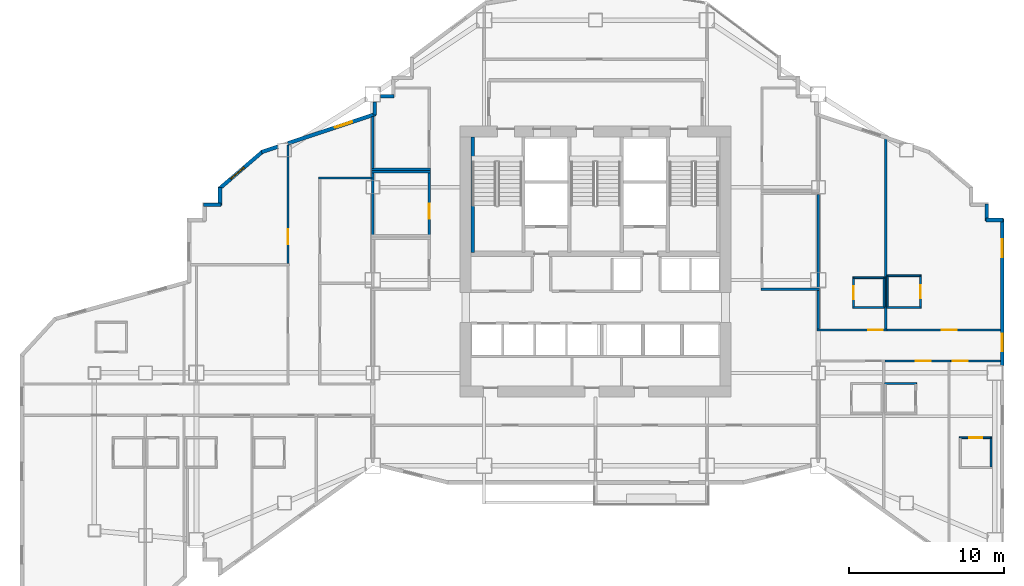
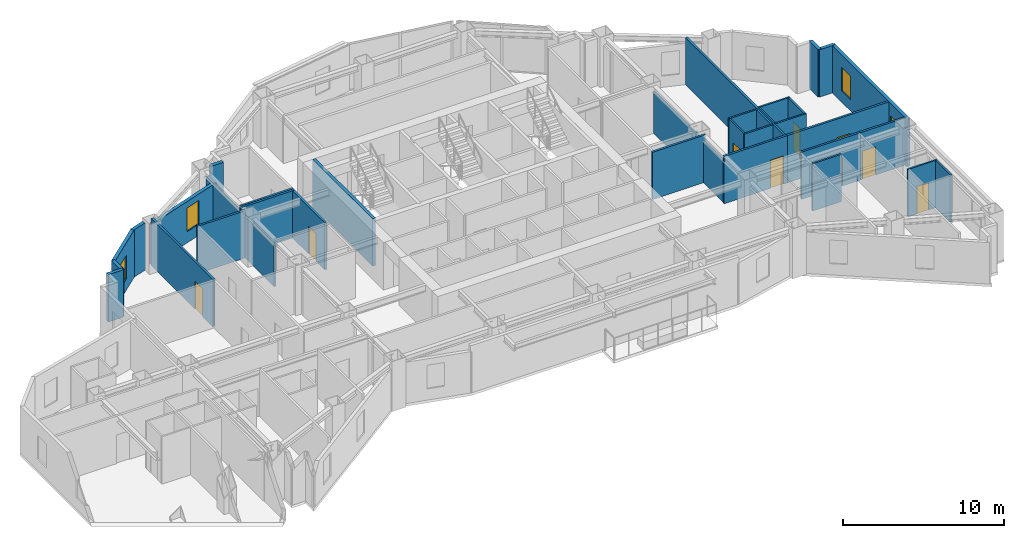
# One storey, part 10 of 14: 37 walls, 9 doors, 4 windows, 13 openings.
"""IFC4 building model written with IfcOpenShell, lengths in metres."""

from ifc_helpers import new_model, si_unit, direction, frame, frame_2d, origin, place, context, subcontext, project, spatial, rectangle, extrude, material, layer, layer_set, type_object, element, fill, save


model = new_model("IFC4")

# Units and contexts
model_context = context("Model", 3, precision=1e-05, world=origin(), true_north=direction((0.0, 1.0)))
body_context = subcontext(model_context, "Body", "Model", "MODEL_VIEW")
ifc_project = project(units=[si_unit("LENGTHUNIT", "METRE"), si_unit("AREAUNIT", "SQUARE_METRE"), si_unit("VOLUMEUNIT", "CUBIC_METRE"), si_unit("PLANEANGLEUNIT", "RADIAN"), si_unit("MASSUNIT", "GRAM", prefix="KILO")], contexts=[model_context])

# Site, building, storey
site_placement = place(None, origin())
site = spatial("IfcSite", under=ifc_project, at=site_placement, CompositionType="ELEMENT")
building_placement = place(site_placement, origin())
building = spatial("IfcBuilding", under=site, at=building_placement, Name="Haolan Belvedere Tower", CompositionType="ELEMENT")
storey_placement = place(building_placement, frame((0.0, 0.0, 141.0)))
storey = spatial("IfcBuildingStorey", under=building, at=storey_placement, Name="L35", CompositionType="ELEMENT", Elevation=141.0)

# Wall, openings, windows
ifc_material_1 = material(Name="Precast concrete C40/50", Category="concrete")
ifc_layer_1 = layer(ifc_material_1, 0.239990234375, Name="Precast concrete C40/50")
ifc_layer_set_1 = layer_set([ifc_layer_1], Name="Precast concrete C40/50")
wall_type_1 = type_object("IfcWallType", Name="WL-EXT-240", PredefinedType="SOLIDWALL", material=ifc_layer_set_1)
wall_1_placement = place(storey_placement, frame((64.679931640625, 28.092041015625, 0.0), z_axis=(0.0, 0.0, 1.0), x_axis=(0.0, 1.0, 0.0)))
wall_1 = element("IfcWall", 1, at=wall_1_placement, inside=storey, type_object=wall_type_1, Name="L35 pale-metal exterior spandrel wall 14.2", PredefinedType="SOLIDWALL", context=body_context, shape_type="SweptSolid", body=[
    extrude(rectangle(XDim=9.44287109375, YDim=0.239990234375, at=frame_2d((4.721435546875, 0.0))), origin(), (0.0, 0.0, 1.0), 3.60009765625),
])
opening_1_placement = place(wall_1_placement, frame((0.903076171875, 0.0, 0.85009765625)))
opening_1 = element("IfcOpeningElement", 2, at=opening_1_placement, cuts=wall_1, Name="Opening W-02", PredefinedType="OPENING", context=body_context, shape_type="SweptSolid", body=[
    extrude(rectangle(XDim=1.14990234375, YDim=1.800048828125, at=frame_2d((0.574951171875, 0.89990234375))), frame((0.0, 0.1298828125, 0.0), z_axis=(0.0, -1.0, 0.0), x_axis=(1.0, 0.0, 0.0)), (0.0, 0.0, 1.0), 0.260009765625),
])
opening_2_placement = place(wall_1_placement, frame((7.0, 0.0, 0.85009765625)))
opening_2 = element("IfcOpeningElement", 3, at=opening_2_placement, cuts=wall_1, Name="Opening W-02", PredefinedType="OPENING", context=body_context, shape_type="SweptSolid", body=[
    extrude(rectangle(XDim=1.14990234375, YDim=1.800048828125, at=frame_2d((0.574951171875, 0.89990234375))), frame((0.0, 0.1298828125, 0.0), z_axis=(0.0, -1.0, 0.0), x_axis=(1.0, 0.0, 0.0)), (0.0, 0.0, 1.0), 0.260009765625),
])
ifc_material_2 = material(Name="Anodised aluminium 6063-T6 and Low-E glass", Category="aluminium")
window_type = type_object("IfcWindowType", Name="WN-DECO-Z2", PartitioningType="SINGLE_PANEL", PredefinedType="WINDOW", material=ifc_material_2)
window_1_placement = place(opening_1_placement, origin())
window_1 = element("IfcWindow", 4, at=window_1_placement, inside=storey, type_object=window_type, Name="L35 Art Deco chevron window 1", OverallHeight=1.800048828125, OverallWidth=1.14990234375, PartitioningType="SINGLE_PANEL", PredefinedType="WINDOW", context=body_context, shape_type="SweptSolid", body=[
    extrude(rectangle(XDim=1.14990234375, YDim=1.800048828125, at=frame_2d((0.574951171875, 0.89990234375))), frame((0.0, 0.030029296875, 0.0), z_axis=(0.0, -1.0, 0.0), x_axis=(1.0, 0.0, 0.0)), (0.0, 0.0, 1.0), 0.06005859375),
])
fill(opening_1, window_1)
window_2_placement = place(opening_2_placement, origin())
window_2 = element("IfcWindow", 5, at=window_2_placement, inside=storey, type_object=window_type, Name="L35 Art Deco chevron window 2", OverallHeight=1.800048828125, OverallWidth=1.14990234375, PartitioningType="SINGLE_PANEL", PredefinedType="WINDOW", context=body_context, shape_type="SweptSolid", body=[
    extrude(rectangle(XDim=1.14990234375, YDim=1.800048828125, at=frame_2d((0.574951171875, 0.89990234375))), frame((0.0, 0.030029296875, 0.0), z_axis=(0.0, -1.0, 0.0), x_axis=(1.0, 0.0, 0.0)), (0.0, 0.0, 1.0), 0.06005859375),
])
fill(opening_2, window_2)

# Walls
wall_2_placement = place(storey_placement, frame((64.735107421875, 37.47998046875, 0.0), z_axis=(0.0, 0.0, 1.0), x_axis=(-1.0, 0.0, 0.0)))
element("IfcWall", 6, at=wall_2_placement, inside=storey, type_object=wall_type_1, Name="L35 pale-metal exterior spandrel wall 15.1", PredefinedType="SOLIDWALL", context=body_context, shape_type="SweptSolid", body=[
    extrude(rectangle(XDim=1.110107421875, YDim=0.239990234375, at=frame_2d((0.55517578125, 0.0))), origin(), (0.0, 0.0, 1.0), 3.60009765625),
])
wall_3_placement = place(storey_placement, frame((63.679931640625, 37.425048828125, 0.0), z_axis=(0.0, 0.0, 1.0), x_axis=(0.0, 1.0, 0.0)))
element("IfcWall", 7, at=wall_3_placement, inside=storey, type_object=wall_type_1, Name="L35 pale-metal exterior spandrel wall 16.1", PredefinedType="SOLIDWALL", context=body_context, shape_type="SweptSolid", body=[
    extrude(rectangle(XDim=1.10986328125, YDim=0.239990234375, at=frame_2d((0.554931640625, 0.0))), origin(), (0.0, 0.0, 1.0), 3.60009765625),
])
wall_4_placement = place(storey_placement, frame((25.375, 45.47998046875, 0.0), z_axis=(0.0, 0.0, 1.0), x_axis=(-1.0, 0.0, 0.0)))
element("IfcWall", 8, at=wall_4_placement, inside=storey, type_object=wall_type_1, Name="L35 pale-metal exterior spandrel wall 33.1", PredefinedType="SOLIDWALL", context=body_context, shape_type="SweptSolid", body=[
    extrude(rectangle(XDim=0.883056640625, YDim=0.239990234375, at=frame_2d((0.44140625, 0.0))), origin(), (0.0, 0.0, 1.0), 3.60009765625),
])
wall_5_placement = place(storey_placement, frame((24.1201171875, 45.10791015625, 0.0), z_axis=(0.0, 0.0, 1.0), x_axis=(0.0, -1.0, 0.0)))
element("IfcWall", 9, at=wall_5_placement, inside=storey, type_object=wall_type_1, Name="L35 pale-metal exterior spandrel wall 34.1", PredefinedType="SOLIDWALL", context=body_context, shape_type="SweptSolid", body=[
    extrude(rectangle(XDim=0.849365234375, YDim=0.239990234375, at=frame_2d((0.4248046875, 0.0))), origin(), (0.0, 0.0, 1.0), 3.14501953125),
])

# Wall, opening, window
wall_6_placement = place(storey_placement, frame((24.172119140625, 44.330810546875, 0.0), z_axis=(0.0, 0.0, 1.0), x_axis=(-0.948683298051, -0.316227766017, 0.0)))
wall_6 = element("IfcWall", 10, at=wall_6_placement, inside=storey, type_object=wall_type_1, Name="L35 pale-metal exterior spandrel wall 35.1", PredefinedType="SOLIDWALL", context=body_context, shape_type="SweptSolid", body=[
    extrude(rectangle(XDim=5.973388671875, YDim=0.239990234375, at=frame_2d((2.98681640625, 0.0))), origin(), (0.0, 0.0, 1.0), 3.14501953125),
])
opening_3_placement = place(wall_6_placement, frame((1.60009765625, 0.0, 0.85009765625)))
opening_3 = element("IfcOpeningElement", 11, at=opening_3_placement, cuts=wall_6, Name="Opening W-02", PredefinedType="OPENING", context=body_context, shape_type="SweptSolid", body=[
    extrude(rectangle(XDim=1.14990234375, YDim=1.800048828125, at=frame_2d((0.574951171875, 0.89990234375))), frame((0.0, 0.1298828125, 0.0), z_axis=(0.0, -1.0, 0.0), x_axis=(1.0, 0.0, 0.0)), (0.0, 0.0, 1.0), 0.260009765625),
])
window_3_placement = place(opening_3_placement, origin())
window_3 = element("IfcWindow", 12, at=window_3_placement, inside=storey, type_object=window_type, Name="L35 Art Deco chevron window 1", OverallHeight=1.800048828125, OverallWidth=1.14990234375, PartitioningType="SINGLE_PANEL", PredefinedType="WINDOW", context=body_context, shape_type="SweptSolid", body=[
    extrude(rectangle(XDim=1.14990234375, YDim=1.800048828125, at=frame_2d((0.574951171875, 0.89990234375))), frame((0.0, 0.030029296875, 0.0), z_axis=(0.0, -1.0, 0.0), x_axis=(1.0, 0.0, 0.0)), (0.0, 0.0, 1.0), 0.06005859375),
])
fill(opening_3, window_3)

# Wall
wall_7_placement = place(storey_placement, frame((17.85791015625, 42.226318359375, 0.0), z_axis=(0.0, 0.0, 1.0), x_axis=(-0.948639166064, -0.316360131194, 0.0)))
element("IfcWall", 13, at=wall_7_placement, inside=storey, type_object=wall_type_1, Name="L35 pale-metal exterior spandrel wall 35.2", PredefinedType="SOLIDWALL", context=body_context, shape_type="SweptSolid", body=[
    extrude(rectangle(XDim=1.106689453125, YDim=0.239990234375, at=frame_2d((0.55322265625, 0.0))), origin(), (0.0, 0.0, 1.0), 3.60009765625),
])

# Wall, opening, window
wall_8_placement = place(storey_placement, frame((16.902099609375, 41.929443359375, 0.0), z_axis=(0.0, 0.0, 1.0), x_axis=(-0.759275136126, -0.650769750112, 0.0)))
wall_8 = element("IfcWall", 14, at=wall_8_placement, inside=storey, type_object=wall_type_1, Name="L35 pale-metal exterior spandrel wall 36.1", PredefinedType="SOLIDWALL", context=body_context, shape_type="SweptSolid", body=[
    extrude(rectangle(XDim=3.71923828125, YDim=0.239990234375, at=frame_2d((1.859619140625, 0.0))), origin(), (0.0, 0.0, 1.0), 3.60009765625),
])
opening_4_placement = place(wall_8_placement, frame((1.60009765625, 0.0, 0.85009765625)))
opening_4 = element("IfcOpeningElement", 15, at=opening_4_placement, cuts=wall_8, Name="Opening W-02", PredefinedType="OPENING", context=body_context, shape_type="SweptSolid", body=[
    extrude(rectangle(XDim=1.14990234375, YDim=1.800048828125, at=frame_2d((0.574951171875, 0.89990234375))), frame((0.0, 0.1298828125, 0.0), z_axis=(0.0, -1.0, 0.0), x_axis=(1.0, 0.0, 0.0)), (0.0, 0.0, 1.0), 0.260009765625),
])
window_4_placement = place(opening_4_placement, origin())
window_4 = element("IfcWindow", 16, at=window_4_placement, inside=storey, type_object=window_type, Name="L35 Art Deco chevron window 1", OverallHeight=1.800048828125, OverallWidth=1.14990234375, PartitioningType="SINGLE_PANEL", PredefinedType="WINDOW", context=body_context, shape_type="SweptSolid", body=[
    extrude(rectangle(XDim=1.14990234375, YDim=1.800048828125, at=frame_2d((0.574951171875, 0.89990234375))), frame((0.0, 0.030029296875, 0.0), z_axis=(0.0, -1.0, 0.0), x_axis=(1.0, 0.0, 0.0)), (0.0, 0.0, 1.0), 0.06005859375),
])
fill(opening_4, window_4)

# Walls
wall_9_placement = place(storey_placement, frame((14.1201171875, 39.599853515625, 0.0), z_axis=(0.0, 0.0, 1.0), x_axis=(0.0, -1.0, 0.0)))
element("IfcWall", 17, at=wall_9_placement, inside=storey, type_object=wall_type_1, Name="L35 pale-metal exterior spandrel wall 37.1", PredefinedType="SOLIDWALL", context=body_context, shape_type="SweptSolid", body=[
    extrude(rectangle(XDim=1.1748046875, YDim=0.239990234375, at=frame_2d((0.58740234375, 0.0))), origin(), (0.0, 0.0, 1.0), 3.60009765625),
])
wall_10_placement = place(storey_placement, frame((14.175048828125, 38.47998046875, 0.0), z_axis=(0.0, 0.0, 1.0), x_axis=(-1.0, 0.0, 0.0)))
element("IfcWall", 18, at=wall_10_placement, inside=storey, type_object=wall_type_1, Name="L35 pale-metal exterior spandrel wall 38.1", PredefinedType="SOLIDWALL", context=body_context, shape_type="SweptSolid", body=[
    extrude(rectangle(XDim=1.110107421875, YDim=0.239990234375, at=frame_2d((0.55517578125, 0.0))), origin(), (0.0, 0.0, 1.0), 3.60009765625),
])
ifc_material_3 = material(Name="Double gypsum acoustic stud partition", Category="masonry")
ifc_layer_2 = layer(ifc_material_3, 0.14990234375, Name="Double gypsum acoustic stud partition")
ifc_layer_set_2 = layer_set([ifc_layer_2], Name="Double gypsum acoustic stud partition")
wall_type_2 = type_object("IfcWallType", Name="WL-PART-150", PredefinedType="PARTITIONING", material=ifc_layer_set_2)
wall_11_placement = place(storey_placement, frame((23.919921875, 40.60009765625, 0.0), z_axis=(0.0, 0.0, 1.0), x_axis=(1.0, 0.0, 0.0)))
element("IfcWall", 19, at=wall_11_placement, inside=storey, type_object=wall_type_2, Name="L35 interior partition IW-L35-PNT-N", PredefinedType="PARTITIONING", context=body_context, shape_type="SweptSolid", body=[
    extrude(rectangle(XDim=3.800048828125, YDim=0.14990234375, at=frame_2d((1.89990234375, 0.0))), origin(), (0.0, 0.0, 1.0), 3.60009765625),
])
wall_12_placement = place(storey_placement, frame((24.0, 36.52001953125, 0.0), z_axis=(0.0, 0.0, 1.0), x_axis=(0.0, 1.0, 0.0)))
element("IfcWall", 20, at=wall_12_placement, inside=storey, type_object=wall_type_2, Name="L35 interior partition IW-L35-PNT-W", PredefinedType="PARTITIONING", context=body_context, shape_type="SweptSolid", body=[
    extrude(rectangle(XDim=4.02001953125, YDim=0.14990234375, at=frame_2d((2.010009765625, 0.0))), origin(), (0.0, 0.0, 1.0), 3.14501953125),
])

# Wall, opening, door
wall_13_placement = place(storey_placement, frame((27.639892578125, 36.52001953125, 0.0), z_axis=(0.0, 0.0, 1.0), x_axis=(0.0, 1.0, 0.0)))
wall_13 = element("IfcWall", 21, at=wall_13_placement, inside=storey, type_object=wall_type_2, Name="L35 interior partition IW-L35-PNT-E", PredefinedType="PARTITIONING", context=body_context, shape_type="SweptSolid", body=[
    extrude(rectangle(XDim=4.02001953125, YDim=0.14990234375, at=frame_2d((2.010009765625, 0.0))), origin(), (0.0, 0.0, 1.0), 3.60009765625),
])
opening_5_placement = place(wall_13_placement, frame((2.010009765625, 0.0, 0.0), z_axis=(0.0, 0.0, 1.0), x_axis=(-1.0, 0.0, 0.0)))
opening_5 = element("IfcOpeningElement", 22, at=opening_5_placement, cuts=wall_13, Name="Opening ID-03", PredefinedType="OPENING", context=body_context, shape_type="SweptSolid", body=[
    extrude(rectangle(XDim=0.949951171875, YDim=2.1201171875, at=frame_2d((0.47509765625, 1.06005859375))), frame((0.0, 0.0849609375, 0.0), z_axis=(0.0, -1.0, 0.0), x_axis=(1.0, 0.0, 0.0)), (0.0, 0.0, 1.0), 0.169921875),
])
ifc_material_4 = material(Name="Painted solid-core timber", Category="wood")
door_type_1 = type_object("IfcDoorType", Name="DR-INT-950", OperationType="NOTDEFINED", PredefinedType="DOOR", material=ifc_material_4)
door_1_placement = place(opening_5_placement, origin())
door_1 = element("IfcDoor", 23, at=door_1_placement, inside=storey, type_object=door_type_1, Name="L35 door ID-L35-PNT", OperationType="SINGLE_SWING_RIGHT", OverallHeight=2.1201171875, OverallWidth=0.949951171875, PredefinedType="DOOR", context=body_context, shape_type="SweptSolid", body=[
    extrude(rectangle(XDim=0.949951171875, YDim=2.1201171875, at=frame_2d((0.47509765625, 1.06005859375))), frame((0.0, 0.02490234375, 0.0), z_axis=(0.0, -1.0, 0.0), x_axis=(1.0, 0.0, 0.0)), (0.0, 0.0, 1.0), 0.050048828125),
])
fill(opening_5, door_1)

# Walls
wall_14_placement = place(storey_placement, frame((23.919921875, 40.760009765625, 0.0), z_axis=(0.0, 0.0, 1.0), x_axis=(1.0, 0.0, 0.0)))
element("IfcWall", 24, at=wall_14_placement, inside=storey, type_object=wall_type_2, Name="L35 interior partition IW-L35-STY-S", PredefinedType="PARTITIONING", context=body_context, shape_type="SweptSolid", body=[
    extrude(rectangle(XDim=3.800048828125, YDim=0.14990234375, at=frame_2d((1.89990234375, 0.0))), origin(), (0.0, 0.0, 1.0), 3.60009765625),
])
wall_15_placement = place(storey_placement, frame((24.0, 40.820068359375, 0.0), z_axis=(0.0, 0.0, 1.0), x_axis=(0.0, 1.0, 0.0)))
element("IfcWall", 25, at=wall_15_placement, inside=storey, type_object=wall_type_2, Name="L35 interior partition IW-L35-STY-W", PredefinedType="PARTITIONING", context=body_context, shape_type="SweptSolid", body=[
    extrude(rectangle(XDim=3.3427734375, YDim=0.14990234375, at=frame_2d((1.67138671875, 0.0))), origin(), (0.0, 0.0, 1.0), 3.14501953125),
])
wall_16_placement = place(storey_placement, frame((49.080078125, 33.0, 0.0), z_axis=(0.0, 0.0, 1.0), x_axis=(1.0, 0.0, 0.0)))
element("IfcWall", 26, at=wall_16_placement, inside=storey, type_object=wall_type_2, Name="L35 interior partition IW-L35-HSK-S", PredefinedType="PARTITIONING", context=body_context, shape_type="SweptSolid", body=[
    extrude(rectangle(XDim=3.7998046875, YDim=0.14990234375, at=frame_2d((1.89990234375, 0.0))), origin(), (0.0, 0.0, 1.0), 3.60009765625),
])
wall_17_placement = place(storey_placement, frame((52.800048828125, 33.06005859375, 0.0), z_axis=(0.0, 0.0, 1.0), x_axis=(0.0, 1.0, 0.0)))
element("IfcWall", 27, at=wall_17_placement, inside=storey, type_object=wall_type_2, Name="L35 interior partition IW-L35-HSK-E", PredefinedType="PARTITIONING", context=body_context, shape_type="SweptSolid", body=[
    extrude(rectangle(XDim=6.079833984375, YDim=0.14990234375, at=frame_2d((3.0400390625, 0.0))), origin(), (0.0, 0.0, 1.0), 3.14501953125),
])

# Wall, opening, door
wall_18_placement = place(storey_placement, frame((18.52001953125, 34.659912109375, 0.0), z_axis=(0.0, 0.0, 1.0), x_axis=(0.0, 1.0, 0.0)))
wall_18 = element("IfcWall", 28, at=wall_18_placement, inside=storey, type_object=wall_type_2, Name="L35 interior partition IW-L35-T2W2-E", PredefinedType="PARTITIONING", context=body_context, shape_type="SweptSolid", body=[
    extrude(rectangle(XDim=7.67626953125, YDim=0.14990234375, at=frame_2d((3.838134765625, 0.0))), origin(), (0.0, 0.0, 1.0), 3.60009765625),
])
opening_6_placement = place(wall_18_placement, frame((2.21484375, 0.0, 0.0), z_axis=(0.0, 0.0, 1.0), x_axis=(-1.0, 0.0, 0.0)))
opening_6 = element("IfcOpeningElement", 29, at=opening_6_placement, cuts=wall_18, Name="Opening ID-03", PredefinedType="OPENING", context=body_context, shape_type="SweptSolid", body=[
    extrude(rectangle(XDim=0.949951171875, YDim=2.1201171875, at=frame_2d((0.47509765625, 1.06005859375))), frame((0.0, 0.0849609375, 0.0), z_axis=(0.0, -1.0, 0.0), x_axis=(1.0, 0.0, 0.0)), (0.0, 0.0, 1.0), 0.169921875),
])
door_2_placement = place(opening_6_placement, origin())
door_2 = element("IfcDoor", 30, at=door_2_placement, inside=storey, type_object=door_type_1, Name="L35 door ID-L35-T2W2", OperationType="SINGLE_SWING_RIGHT", OverallHeight=2.1201171875, OverallWidth=0.949951171875, PredefinedType="DOOR", context=body_context, shape_type="SweptSolid", body=[
    extrude(rectangle(XDim=0.949951171875, YDim=2.1201171875, at=frame_2d((0.47509765625, 1.06005859375))), frame((0.0, 0.02490234375, 0.0), z_axis=(0.0, -1.0, 0.0), x_axis=(1.0, 0.0, 0.0)), (0.0, 0.0, 1.0), 0.050048828125),
])
fill(opening_6, door_2)

# Wall
wall_19_placement = place(storey_placement, frame((20.5, 40.199951171875, 0.0), z_axis=(0.0, 0.0, 1.0), x_axis=(1.0, 0.0, 0.0)))
element("IfcWall", 31, at=wall_19_placement, inside=storey, type_object=wall_type_2, Name="L35 interior partition IW-L35-T2E2-N", PredefinedType="PARTITIONING", context=body_context, shape_type="SweptSolid", body=[
    extrude(rectangle(XDim=3.43994140625, YDim=0.14990234375, at=frame_2d((1.719970703125, 0.0))), origin(), (0.0, 0.0, 1.0), 3.60009765625),
])

# Wall, opening, door
wall_20_placement = place(storey_placement, frame((52.699951171875, 30.3798828125, 0.0), z_axis=(0.0, 0.0, 1.0), x_axis=(1.0, 0.0, 0.0)))
wall_20 = element("IfcWall", 32, at=wall_20_placement, inside=storey, type_object=wall_type_2, Name="L35 interior partition IW-L35-T4N1-S", PredefinedType="PARTITIONING", context=body_context, shape_type="SweptSolid", body=[
    extrude(rectangle(XDim=4.550048828125, YDim=0.14990234375, at=frame_2d((2.27490234375, 0.0))), origin(), (0.0, 0.0, 1.0), 3.60009765625),
])
opening_7_placement = place(wall_20_placement, frame((3.322998046875, 0.0, 0.0)))
opening_7 = element("IfcOpeningElement", 33, at=opening_7_placement, cuts=wall_20, Name="Opening ID-02", PredefinedType="OPENING", context=body_context, shape_type="SweptSolid", body=[
    extrude(rectangle(XDim=0.949951171875, YDim=2.14990234375, at=frame_2d((0.47509765625, 1.074951171875))), frame((0.0, 0.0849609375, 0.0), z_axis=(0.0, -1.0, 0.0), x_axis=(1.0, 0.0, 0.0)), (0.0, 0.0, 1.0), 0.169921875),
])
ifc_material_5 = material(Name="Acoustic oak veneer fire-rated timber", Category="wood")
door_type_2 = type_object("IfcDoorType", Name="DR-GUEST-950", OperationType="NOTDEFINED", PredefinedType="DOOR", material=ifc_material_5)
door_3_placement = place(opening_7_placement, origin())
door_3 = element("IfcDoor", 34, at=door_3_placement, inside=storey, type_object=door_type_2, Name="L35 door ID-L35-T4N1-ENT", OperationType="SINGLE_SWING_RIGHT", OverallHeight=2.14990234375, OverallWidth=0.949951171875, PredefinedType="DOOR", context=body_context, shape_type="SweptSolid", body=[
    extrude(rectangle(XDim=0.949951171875, YDim=2.14990234375, at=frame_2d((0.47509765625, 1.074951171875))), frame((0.0, 0.02490234375, 0.0), z_axis=(0.0, -1.0, 0.0), x_axis=(1.0, 0.0, 0.0)), (0.0, 0.0, 1.0), 0.050048828125),
])
fill(opening_7, door_3)

# Walls
wall_21_placement = place(storey_placement, frame((52.800048828125, 30.43994140625, 0.0), z_axis=(0.0, 0.0, 1.0), x_axis=(0.0, 1.0, 0.0)))
element("IfcWall", 35, at=wall_21_placement, inside=storey, type_object=wall_type_2, Name="L35 interior partition IW-L35-T4N1-W", PredefinedType="PARTITIONING", context=body_context, shape_type="SweptSolid", body=[
    extrude(rectangle(XDim=2.5, YDim=0.14990234375, at=frame_2d((1.25, 0.0))), origin(), (0.0, 0.0, 1.0), 3.14501953125),
])
wall_22_placement = place(storey_placement, frame((57.14990234375, 30.43994140625, 0.0), z_axis=(0.0, 0.0, 1.0), x_axis=(0.0, 1.0, 0.0)))
element("IfcWall", 36, at=wall_22_placement, inside=storey, type_object=wall_type_2, Name="L35 interior partition IW-L35-T4N1-E", PredefinedType="PARTITIONING", context=body_context, shape_type="SweptSolid", body=[
    extrude(rectangle(XDim=12.27294921875, YDim=0.14990234375, at=frame_2d((6.136474609375, 0.0))), origin(), (0.0, 0.0, 1.0), 3.60009765625),
])

# Wall, opening, door
wall_23_placement = place(storey_placement, frame((57.251953125, 30.3798828125, 0.0), z_axis=(0.0, 0.0, 1.0), x_axis=(1.0, 0.0, 0.0)))
wall_23 = element("IfcWall", 37, at=wall_23_placement, inside=storey, type_object=wall_type_2, Name="L35 interior partition IW-L35-T4N2-S", PredefinedType="PARTITIONING", context=body_context, shape_type="SweptSolid", body=[
    extrude(rectangle(XDim=7.322998046875, YDim=0.14990234375, at=frame_2d((3.66162109375, 0.0))), origin(), (0.0, 0.0, 1.0), 3.60009765625),
])
opening_8_placement = place(wall_23_placement, frame((3.53662109375, 0.0, 0.0)))
opening_8 = element("IfcOpeningElement", 38, at=opening_8_placement, cuts=wall_23, Name="Opening ID-01", PredefinedType="OPENING", context=body_context, shape_type="SweptSolid", body=[
    extrude(rectangle(XDim=0.949951171875, YDim=2.179931640625, at=frame_2d((0.47509765625, 1.08984375))), frame((0.0, 0.0849609375, 0.0), z_axis=(0.0, -1.0, 0.0), x_axis=(1.0, 0.0, 0.0)), (0.0, 0.0, 1.0), 0.169921875),
])
ifc_material_6 = material(Name="Acoustic walnut veneer fire-rated timber", Category="wood")
door_type_3 = type_object("IfcDoorType", Name="DR-SUITE-950", OperationType="NOTDEFINED", PredefinedType="DOOR", material=ifc_material_6)
door_4_placement = place(opening_8_placement, origin())
door_4 = element("IfcDoor", 39, at=door_4_placement, inside=storey, type_object=door_type_3, Name="L35 door ID-L35-T4N2-ENT", OperationType="SINGLE_SWING_LEFT", OverallHeight=2.179931640625, OverallWidth=0.949951171875, PredefinedType="DOOR", context=body_context, shape_type="SweptSolid", body=[
    extrude(rectangle(XDim=0.949951171875, YDim=2.179931640625, at=frame_2d((0.47509765625, 1.08984375))), frame((0.0, 0.02490234375, 0.0), z_axis=(0.0, -1.0, 0.0), x_axis=(1.0, 0.0, 0.0)), (0.0, 0.0, 1.0), 0.050048828125),
])
fill(opening_8, door_4)

wall_24_placement = place(storey_placement, frame((57.1220703125, 28.3701171875, 0.0), z_axis=(0.0, 0.0, 1.0), x_axis=(1.0, 0.0, 0.0)))
wall_24 = element("IfcWall", 40, at=wall_24_placement, inside=storey, type_object=wall_type_2, Name="L35 interior partition IW-L35-T4S2-N", PredefinedType="PARTITIONING", context=body_context, shape_type="SweptSolid", body=[
    extrude(rectangle(XDim=4.22802734375, YDim=0.14990234375, at=frame_2d((2.114013671875, 0.0))), origin(), (0.0, 0.0, 1.0), 3.60009765625),
])
opening_9_placement = place(wall_24_placement, frame((2.93359375, 0.0, 0.0), z_axis=(0.0, 0.0, 1.0), x_axis=(-1.0, 0.0, 0.0)))
opening_9 = element("IfcOpeningElement", 41, at=opening_9_placement, cuts=wall_24, Name="Opening ID-02", PredefinedType="OPENING", context=body_context, shape_type="SweptSolid", body=[
    extrude(rectangle(XDim=0.949951171875, YDim=2.14990234375, at=frame_2d((0.47509765625, 1.074951171875))), frame((0.0, 0.0849609375, 0.0), z_axis=(0.0, -1.0, 0.0), x_axis=(1.0, 0.0, 0.0)), (0.0, 0.0, 1.0), 0.169921875),
])
door_5_placement = place(opening_9_placement, origin())
door_5 = element("IfcDoor", 42, at=door_5_placement, inside=storey, type_object=door_type_2, Name="L35 door ID-L35-T4S2-ENT", OperationType="SINGLE_SWING_LEFT", OverallHeight=2.14990234375, OverallWidth=0.949951171875, PredefinedType="DOOR", context=body_context, shape_type="SweptSolid", body=[
    extrude(rectangle(XDim=0.949951171875, YDim=2.14990234375, at=frame_2d((0.47509765625, 1.074951171875))), frame((0.0, 0.02490234375, 0.0), z_axis=(0.0, -1.0, 0.0), x_axis=(1.0, 0.0, 0.0)), (0.0, 0.0, 1.0), 0.050048828125),
])
fill(opening_9, door_5)

wall_25_placement = place(storey_placement, frame((61.35205078125, 28.3701171875, 0.0), z_axis=(0.0, 0.0, 1.0), x_axis=(1.0, 0.0, 0.0)))
wall_25 = element("IfcWall", 43, at=wall_25_placement, inside=storey, type_object=wall_type_2, Name="L35 interior partition IW-L35-T4S3-N", PredefinedType="PARTITIONING", context=body_context, shape_type="SweptSolid", body=[
    extrude(rectangle(XDim=3.222900390625, YDim=0.14990234375, at=frame_2d((1.611328125, 0.0))), origin(), (0.0, 0.0, 1.0), 3.60009765625),
])
opening_10_placement = place(wall_25_placement, frame((1.08984375, 0.0, 0.0), z_axis=(0.0, 0.0, 1.0), x_axis=(-1.0, 0.0, 0.0)))
opening_10 = element("IfcOpeningElement", 44, at=opening_10_placement, cuts=wall_25, Name="Opening ID-02", PredefinedType="OPENING", context=body_context, shape_type="SweptSolid", body=[
    extrude(rectangle(XDim=0.949951171875, YDim=2.14990234375, at=frame_2d((0.47509765625, 1.074951171875))), frame((0.0, 0.0849609375, 0.0), z_axis=(0.0, -1.0, 0.0), x_axis=(1.0, 0.0, 0.0)), (0.0, 0.0, 1.0), 0.169921875),
])
door_6_placement = place(opening_10_placement, origin())
door_6 = element("IfcDoor", 45, at=door_6_placement, inside=storey, type_object=door_type_2, Name="L35 door ID-L35-T4S3-ENT", OperationType="SINGLE_SWING_RIGHT", OverallHeight=2.14990234375, OverallWidth=0.949951171875, PredefinedType="DOOR", context=body_context, shape_type="SweptSolid", body=[
    extrude(rectangle(XDim=0.949951171875, YDim=2.14990234375, at=frame_2d((0.47509765625, 1.074951171875))), frame((0.0, 0.02490234375, 0.0), z_axis=(0.0, -1.0, 0.0), x_axis=(1.0, 0.0, 0.0)), (0.0, 0.0, 1.0), 0.050048828125),
])
fill(opening_10, door_6)

# Walls
ifc_material_7 = material(Name="Concrete C50/60", Category="concrete")
ifc_layer_3 = layer(ifc_material_7, 0.219970703125, Name="Concrete C50/60")
ifc_layer_set_3 = layer_set([ifc_layer_3], Name="Concrete C50/60")
wall_type_3 = type_object("IfcWallType", Name="WL-STAIR-220", PredefinedType="SHEAR", material=ifc_layer_set_3)
wall_26_placement = place(storey_placement, frame((30.4619140625, 35.389892578125, 0.0), z_axis=(0.0, 0.0, 1.0), x_axis=(0.0, 1.0, 0.0)))
element("IfcWall", 46, at=wall_26_placement, inside=storey, type_object=wall_type_3, Name="L35 structural stair core wall ST1W", PredefinedType="SHEAR", context=body_context, shape_type="SweptSolid", body=[
    extrude(rectangle(XDim=7.460205078125, YDim=0.219970703125, at=frame_2d((3.72998046875, 0.0))), origin(), (0.0, 0.0, 1.0), 3.60009765625),
])
ifc_material_8 = material(Name="Moisture-resistant gypsum tile partition", Category="masonry")
ifc_layer_4 = layer(ifc_material_8, 0.1201171875, Name="Moisture-resistant gypsum tile partition")
ifc_layer_set_4 = layer_set([ifc_layer_4], Name="Moisture-resistant gypsum tile partition")
wall_type_4 = type_object("IfcWallType", Name="WL-WET-120", PredefinedType="PARTITIONING", material=ifc_layer_set_4)
for number, where, z_axis, x_axis, name in (
    (47, (55.010009765625, 33.75, 0.0), (0.0, 0.0, 1.0), (1.0, 0.0, 0.0), "L35 interior partition IW-L35-T4N1-BN"),
    (48, (55.010009765625, 31.830078125, 0.0), (0.0, 0.0, 1.0), (1.0, 0.0, 0.0), "L35 interior partition IW-L35-T4N1-BS"),
):
    element("IfcWall", number, at=place(storey_placement, frame(where, z_axis=z_axis, x_axis=x_axis)), inside=storey, type_object=wall_type_4, Name=name, PredefinedType="PARTITIONING", context=body_context, shape_type="SweptSolid", body=[
        extrude(rectangle(XDim=2.080078125, YDim=0.1201171875, at=frame_2d((1.0400390625, 0.0))), origin(), (0.0, 0.0, 1.0), 3.60009765625),
    ])

# Wall, opening, door
wall_27_placement = place(storey_placement, frame((55.070068359375, 31.875, 0.0), z_axis=(0.0, 0.0, 1.0), x_axis=(0.0, 1.0, 0.0)))
wall_27 = element("IfcWall", 49, at=wall_27_placement, inside=storey, type_object=wall_type_4, Name="L35 interior partition IW-L35-T4N1-BW", PredefinedType="PARTITIONING", context=body_context, shape_type="SweptSolid", body=[
    extrude(rectangle(XDim=1.830078125, YDim=0.1201171875, at=frame_2d((0.9150390625, 0.0))), origin(), (0.0, 0.0, 1.0), 3.60009765625),
])
opening_11_placement = place(wall_27_placement, frame((1.340087890625, 0.0, 0.0), z_axis=(0.0, 0.0, 1.0), x_axis=(-1.0, 0.0, 0.0)))
opening_11 = element("IfcOpeningElement", 50, at=opening_11_placement, cuts=wall_27, Name="Opening ID-05", PredefinedType="OPENING", context=body_context, shape_type="SweptSolid", body=[
    extrude(rectangle(XDim=0.85009765625, YDim=2.10009765625, at=frame_2d((0.425048828125, 1.050048828125))), frame((0.0, 0.070068359375, 0.0), z_axis=(0.0, -1.0, 0.0), x_axis=(1.0, 0.0, 0.0)), (0.0, 0.0, 1.0), 0.14013671875),
])
ifc_material_9 = material(Name="Moisture-resistant lacquered timber", Category="wood")
door_type_4 = type_object("IfcDoorType", Name="DR-BATH-850", OperationType="NOTDEFINED", PredefinedType="DOOR", material=ifc_material_9)
door_7_placement = place(opening_11_placement, origin())
door_7 = element("IfcDoor", 51, at=door_7_placement, inside=storey, type_object=door_type_4, Name="L35 door ID-L35-T4N1-BATH", OperationType="SINGLE_SWING_LEFT", OverallHeight=2.10009765625, OverallWidth=0.85009765625, PredefinedType="DOOR", context=body_context, shape_type="SweptSolid", body=[
    extrude(rectangle(XDim=0.85009765625, YDim=2.10009765625, at=frame_2d((0.425048828125, 1.050048828125))), frame((0.0, 0.02490234375, 0.0), z_axis=(0.0, -1.0, 0.0), x_axis=(1.0, 0.0, 0.0)), (0.0, 0.0, 1.0), 0.050048828125),
])
fill(opening_11, door_7)

# Walls
wall_28_placement = place(storey_placement, frame((57.050048828125, 31.875, 0.0), z_axis=(0.0, 0.0, 1.0), x_axis=(0.0, 1.0, 0.0)))
element("IfcWall", 52, at=wall_28_placement, inside=storey, type_object=wall_type_4, Name="L35 interior partition IW-L35-T4N1-BE", PredefinedType="PARTITIONING", context=body_context, shape_type="SweptSolid", body=[
    extrude(rectangle(XDim=1.830078125, YDim=0.1201171875, at=frame_2d((0.9150390625, 0.0))), origin(), (0.0, 0.0, 1.0), 3.60009765625),
])
for number, where, z_axis, x_axis, name in (
    (53, (57.2099609375, 33.8798828125, 0.0), (0.0, 0.0, 1.0), (1.0, 0.0, 0.0), "L35 interior partition IW-L35-T4N2-BN"),
    (54, (57.2099609375, 31.830078125, 0.0), (0.0, 0.0, 1.0), (1.0, 0.0, 0.0), "L35 interior partition IW-L35-T4N2-BS"),
):
    element("IfcWall", number, at=place(storey_placement, frame(where, z_axis=z_axis, x_axis=x_axis)), inside=storey, type_object=wall_type_4, Name=name, PredefinedType="PARTITIONING", context=body_context, shape_type="SweptSolid", body=[
        extrude(rectangle(XDim=2.25, YDim=0.1201171875, at=frame_2d((1.125, 0.0))), origin(), (0.0, 0.0, 1.0), 3.60009765625),
    ])
wall_29_placement = place(storey_placement, frame((57.25, 31.875, 0.0), z_axis=(0.0, 0.0, 1.0), x_axis=(0.0, 1.0, 0.0)))
element("IfcWall", 55, at=wall_29_placement, inside=storey, type_object=wall_type_4, Name="L35 interior partition IW-L35-T4N2-BW", PredefinedType="PARTITIONING", context=body_context, shape_type="SweptSolid", body=[
    extrude(rectangle(XDim=1.9599609375, YDim=0.1201171875, at=frame_2d((0.97998046875, 0.0))), origin(), (0.0, 0.0, 1.0), 3.60009765625),
])

# Wall, opening, door
wall_30_placement = place(storey_placement, frame((59.39990234375, 31.875, 0.0), z_axis=(0.0, 0.0, 1.0), x_axis=(0.0, 1.0, 0.0)))
wall_30 = element("IfcWall", 56, at=wall_30_placement, inside=storey, type_object=wall_type_4, Name="L35 interior partition IW-L35-T4N2-BE", PredefinedType="PARTITIONING", context=body_context, shape_type="SweptSolid", body=[
    extrude(rectangle(XDim=1.9599609375, YDim=0.1201171875, at=frame_2d((0.97998046875, 0.0))), origin(), (0.0, 0.0, 1.0), 3.60009765625),
])
opening_12_placement = place(wall_30_placement, frame((0.554931640625, 0.0, 0.0)))
opening_12 = element("IfcOpeningElement", 57, at=opening_12_placement, cuts=wall_30, Name="Opening ID-05", PredefinedType="OPENING", context=body_context, shape_type="SweptSolid", body=[
    extrude(rectangle(XDim=0.85009765625, YDim=2.10009765625, at=frame_2d((0.425048828125, 1.050048828125))), frame((0.0, 0.070068359375, 0.0), z_axis=(0.0, -1.0, 0.0), x_axis=(1.0, 0.0, 0.0)), (0.0, 0.0, 1.0), 0.14013671875),
])
door_8_placement = place(opening_12_placement, origin())
door_8 = element("IfcDoor", 58, at=door_8_placement, inside=storey, type_object=door_type_4, Name="L35 door ID-L35-T4N2-BATH", OperationType="SINGLE_SWING_RIGHT", OverallHeight=2.10009765625, OverallWidth=0.85009765625, PredefinedType="DOOR", context=body_context, shape_type="SweptSolid", body=[
    extrude(rectangle(XDim=0.85009765625, YDim=2.10009765625, at=frame_2d((0.425048828125, 1.050048828125))), frame((0.0, 0.02490234375, 0.0), z_axis=(0.0, -1.0, 0.0), x_axis=(1.0, 0.0, 0.0)), (0.0, 0.0, 1.0), 0.050048828125),
])
fill(opening_12, door_8)

# Wall
wall_31_placement = place(storey_placement, frame((57.080078125, 26.919921875, 0.0), z_axis=(0.0, 0.0, 1.0), x_axis=(1.0, 0.0, 0.0)))
element("IfcWall", 59, at=wall_31_placement, inside=storey, type_object=wall_type_4, Name="L35 interior partition IW-L35-T4S2-BN", PredefinedType="PARTITIONING", context=body_context, shape_type="SweptSolid", body=[
    extrude(rectangle(XDim=2.079833984375, YDim=0.1201171875, at=frame_2d((1.0400390625, 0.0))), origin(), (0.0, 0.0, 1.0), 3.60009765625),
])

# Wall, opening, door
wall_32_placement = place(storey_placement, frame((61.9169921875, 23.409912109375, 0.0), z_axis=(0.0, 0.0, 1.0), x_axis=(1.0, 0.0, 0.0)))
wall_32 = element("IfcWall", 60, at=wall_32_placement, inside=storey, type_object=wall_type_4, Name="L35 interior partition IW-L35-T4S3-BN", PredefinedType="PARTITIONING", context=body_context, shape_type="SweptSolid", body=[
    extrude(rectangle(XDim=2.10009765625, YDim=0.1201171875, at=frame_2d((1.050048828125, 0.0))), origin(), (0.0, 0.0, 1.0), 3.60009765625),
])
opening_13_placement = place(wall_32_placement, frame((1.47509765625, 0.0, 0.0), z_axis=(0.0, 0.0, 1.0), x_axis=(-1.0, 0.0, 0.0)))
opening_13 = element("IfcOpeningElement", 61, at=opening_13_placement, cuts=wall_32, Name="Opening ID-05", PredefinedType="OPENING", context=body_context, shape_type="SweptSolid", body=[
    extrude(rectangle(XDim=0.85009765625, YDim=2.10009765625, at=frame_2d((0.425048828125, 1.050048828125))), frame((0.0, 0.070068359375, 0.0), z_axis=(0.0, -1.0, 0.0), x_axis=(1.0, 0.0, 0.0)), (0.0, 0.0, 1.0), 0.14013671875),
])
door_9_placement = place(opening_13_placement, origin())
door_9 = element("IfcDoor", 62, at=door_9_placement, inside=storey, type_object=door_type_4, Name="L35 door ID-L35-T4S3-BATH", OperationType="SINGLE_SWING_LEFT", OverallHeight=2.10009765625, OverallWidth=0.85009765625, PredefinedType="DOOR", context=body_context, shape_type="SweptSolid", body=[
    extrude(rectangle(XDim=0.85009765625, YDim=2.10009765625, at=frame_2d((0.425048828125, 1.050048828125))), frame((0.0, 0.02490234375, 0.0), z_axis=(0.0, -1.0, 0.0), x_axis=(1.0, 0.0, 0.0)), (0.0, 0.0, 1.0), 0.050048828125),
])
fill(opening_13, door_9)

# Wall
wall_33_placement = place(storey_placement, frame((63.95703125, 21.534912109375, 0.0), z_axis=(0.0, 0.0, 1.0), x_axis=(0.0, 1.0, 0.0)))
element("IfcWall", 63, at=wall_33_placement, inside=storey, type_object=wall_type_4, Name="L35 interior partition IW-L35-T4S3-BE", PredefinedType="PARTITIONING", context=body_context, shape_type="SweptSolid", body=[
    extrude(rectangle(XDim=1.830078125, YDim=0.1201171875, at=frame_2d((0.9150390625, 0.0))), origin(), (0.0, 0.0, 1.0), 3.60009765625),
])

save(model, "model.ifc")
